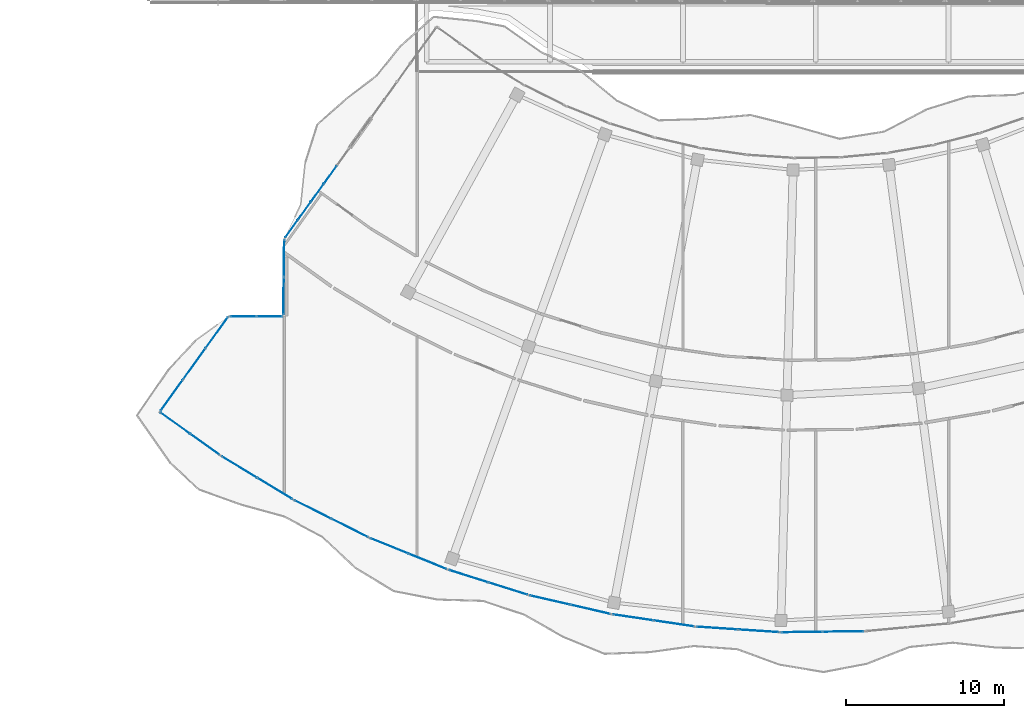
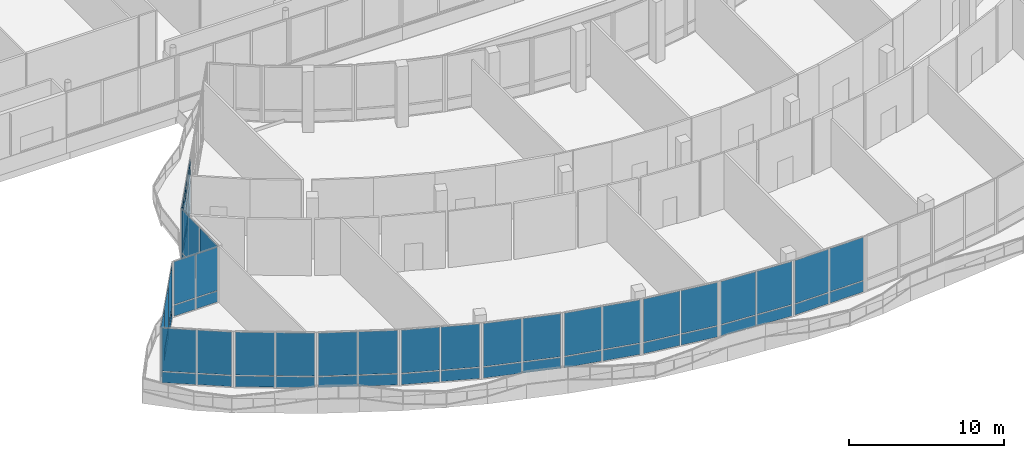
# One storey, part 123 of 168: 62 plates, 13 elements without a shape of their own.
"""IFC4 building model written with IfcOpenShell, lengths in metres."""

from ifc_helpers import new_model, si_unit, direction, frame, origin, origin_2d, place, context, subcontext, project, spatial, rectangle, extrude, material, layer, layer_set, type_object, element, aggregate, save


model = new_model("IFC4")

# Units and contexts
model_context = context("Model", 3, precision=1e-05, world=origin(), true_north=direction((0.0, 1.0)))
body_context = subcontext(model_context, "Body", "Model", "MODEL_VIEW")
ifc_project = project(units=[si_unit("LENGTHUNIT", "METRE"), si_unit("AREAUNIT", "SQUARE_METRE"), si_unit("VOLUMEUNIT", "CUBIC_METRE"), si_unit("PLANEANGLEUNIT", "RADIAN"), si_unit("MASSUNIT", "GRAM", prefix="KILO")], contexts=[model_context])

# Site, building, storey
site_placement = place(None, origin())
site = spatial("IfcSite", under=ifc_project, at=site_placement, CompositionType="ELEMENT")
building_placement = place(site_placement, origin())
building = spatial("IfcBuilding", under=site, at=building_placement, Name="Selatvlak General Hospital", CompositionType="ELEMENT")
storey_placement = place(building_placement, frame((0.0, 0.0, 5.39990234375)))
storey = spatial("IfcBuildingStorey", under=building, at=storey_placement, Name="L01", CompositionType="ELEMENT", Elevation=5.39990234375)

# Curtain wall, plates
ifc_material = material(Name="Solar-control Low-E double glazing", Category="glass")
curtain_wall_type_1 = type_object("IfcCurtainWallType", Name="CW-CW-01", PredefinedType="USERDEFINED", material=ifc_material)
curtain_wall_1_placement = place(storey_placement, origin())
curtain_wall_1 = element("IfcCurtainWall", 1, at=curtain_wall_1_placement, inside=storey, type_object=curtain_wall_type_1, Name="Glazed facade curtain wall CW-L01-0175", ObjectType="UNITISED CURTAIN WALL", PredefinedType="USERDEFINED")
ifc_layer = layer(ifc_material, 0.028076171875, Name="Solar-control Low-E double glazing", Category="glass")
ifc_layer_set = layer_set([ifc_layer], Name="Solar-control Low-E double glazing")
plate_type = type_object("IfcPlateType", Name="CWP-01", PredefinedType="CURTAIN_PANEL", material=ifc_layer_set)
plate_1_placement = place(storey_placement, frame((58.14111328125, 12.074951171875, 0.065185546875), z_axis=(0.0, 0.0, 1.0), x_axis=(-0.999919712362, -0.012671575694, 0.0)))
plate_1 = element("IfcPlate", 2, at=plate_1_placement, type_object=plate_type, Name="CW-01 panel 1.1", PredefinedType="CURTAIN_PANEL", context=body_context, shape_type="SweptSolid", body=[
    extrude(rectangle(XDim=2.546142578125, YDim=0.028076171875, at=origin_2d()), origin(), (0.0, 0.0, 1.0), 0.8525390625),
])
plate_2_placement = place(storey_placement, frame((58.14111328125, 12.074951171875, 0.982666015625), z_axis=(0.0, 0.0, 1.0), x_axis=(-0.999919712362, -0.012671575694, 0.0)))
plate_2 = element("IfcPlate", 3, at=plate_2_placement, type_object=plate_type, Name="CW-01 panel 1.2", PredefinedType="CURTAIN_PANEL", context=body_context, shape_type="SweptSolid", body=[
    extrude(rectangle(XDim=2.546142578125, YDim=0.028076171875, at=origin_2d()), origin(), (0.0, 0.0, 1.0), 3.3974609375),
])
plate_3_placement = place(storey_placement, frame((55.530029296875, 12.0419921875, 0.065185546875), z_axis=(0.0, 0.0, 1.0), x_axis=(-0.999919712362, -0.012671575694, 0.0)))
plate_3 = element("IfcPlate", 4, at=plate_3_placement, type_object=plate_type, Name="CW-01 panel 2.1", PredefinedType="CURTAIN_PANEL", context=body_context, shape_type="SweptSolid", body=[
    extrude(rectangle(XDim=2.546142578125, YDim=0.028076171875, at=origin_2d()), origin(), (0.0, 0.0, 1.0), 0.8525390625),
])
plate_4_placement = place(storey_placement, frame((55.530029296875, 12.0419921875, 0.982666015625), z_axis=(0.0, 0.0, 1.0), x_axis=(-0.999919712362, -0.012671575694, 0.0)))
plate_4 = element("IfcPlate", 5, at=plate_4_placement, type_object=plate_type, Name="CW-01 panel 2.2", PredefinedType="CURTAIN_PANEL", context=body_context, shape_type="SweptSolid", body=[
    extrude(rectangle(XDim=2.546142578125, YDim=0.028076171875, at=origin_2d()), origin(), (0.0, 0.0, 1.0), 3.3974609375),
])
aggregate(curtain_wall_1, [plate_1, plate_2, plate_3, plate_4])

curtain_wall_type_2 = type_object("IfcCurtainWallType", Name="CW-CW-02", PredefinedType="USERDEFINED", material=ifc_material)
curtain_wall_2_placement = place(storey_placement, origin())
curtain_wall_2 = element("IfcCurtainWall", 6, at=curtain_wall_2_placement, inside=storey, type_object=curtain_wall_type_2, Name="Glazed facade curtain wall CW-L01-0176", ObjectType="UNITISED CURTAIN WALL", PredefinedType="USERDEFINED")
plate_5_placement = place(storey_placement, frame((52.77734375, 12.118408203125, 0.065185546875), z_axis=(0.0, 0.0, 1.0), x_axis=(-0.997767543774, 0.066782696801, 0.0)))
plate_5 = element("IfcPlate", 7, at=plate_5_placement, type_object=plate_type, Name="CW-02 panel 1.1", PredefinedType="CURTAIN_PANEL", context=body_context, shape_type="SweptSolid", body=[
    extrude(rectangle(XDim=2.54541015625, YDim=0.028076171875, at=origin_2d()), origin(), (0.0, 0.0, 1.0), 0.8525390625),
])
plate_6_placement = place(storey_placement, frame((52.77734375, 12.118408203125, 0.982666015625), z_axis=(0.0, 0.0, 1.0), x_axis=(-0.997767543774, 0.066782696801, 0.0)))
plate_6 = element("IfcPlate", 8, at=plate_6_placement, type_object=plate_type, Name="CW-02 panel 1.2", PredefinedType="CURTAIN_PANEL", context=body_context, shape_type="SweptSolid", body=[
    extrude(rectangle(XDim=2.54541015625, YDim=0.028076171875, at=origin_2d()), origin(), (0.0, 0.0, 1.0), 3.3974609375),
])
plate_7_placement = place(storey_placement, frame((50.172607421875, 12.292724609375, 0.065185546875), z_axis=(0.0, 0.0, 1.0), x_axis=(-0.997767543774, 0.066782696801, 0.0)))
plate_7 = element("IfcPlate", 9, at=plate_7_placement, type_object=plate_type, Name="CW-02 panel 2.1", PredefinedType="CURTAIN_PANEL", context=body_context, shape_type="SweptSolid", body=[
    extrude(rectangle(XDim=2.54541015625, YDim=0.028076171875, at=origin_2d()), origin(), (0.0, 0.0, 1.0), 0.8525390625),
])
plate_8_placement = place(storey_placement, frame((50.172607421875, 12.292724609375, 0.982666015625), z_axis=(0.0, 0.0, 1.0), x_axis=(-0.997767543774, 0.066782696801, 0.0)))
plate_8 = element("IfcPlate", 10, at=plate_8_placement, type_object=plate_type, Name="CW-02 panel 2.2", PredefinedType="CURTAIN_PANEL", context=body_context, shape_type="SweptSolid", body=[
    extrude(rectangle(XDim=2.54541015625, YDim=0.028076171875, at=origin_2d()), origin(), (0.0, 0.0, 1.0), 3.3974609375),
])
aggregate(curtain_wall_2, [plate_5, plate_6, plate_7, plate_8])

curtain_wall_3_placement = place(storey_placement, origin())
curtain_wall_3 = element("IfcCurtainWall", 11, at=curtain_wall_3_placement, inside=storey, type_object=curtain_wall_type_1, Name="Glazed facade curtain wall CW-L01-0177", ObjectType="UNITISED CURTAIN WALL", PredefinedType="USERDEFINED")
plate_9_placement = place(storey_placement, frame((47.435302734375, 12.587158203125, 0.065185546875), z_axis=(0.0, 0.0, 1.0), x_axis=(-0.989307819732, 0.145842510319, 0.0)))
plate_9 = element("IfcPlate", 12, at=plate_9_placement, type_object=plate_type, Name="CW-01 panel 1.1", PredefinedType="CURTAIN_PANEL", context=body_context, shape_type="SweptSolid", body=[
    extrude(rectangle(XDim=2.545654296875, YDim=0.028076171875, at=origin_2d()), origin(), (0.0, 0.0, 1.0), 0.8525390625),
])
plate_10_placement = place(storey_placement, frame((47.435302734375, 12.587158203125, 0.982666015625), z_axis=(0.0, 0.0, 1.0), x_axis=(-0.989307819732, 0.145842510319, 0.0)))
plate_10 = element("IfcPlate", 13, at=plate_10_placement, type_object=plate_type, Name="CW-01 panel 1.2", PredefinedType="CURTAIN_PANEL", context=body_context, shape_type="SweptSolid", body=[
    extrude(rectangle(XDim=2.545654296875, YDim=0.028076171875, at=origin_2d()), origin(), (0.0, 0.0, 1.0), 3.3974609375),
])
plate_11_placement = place(storey_placement, frame((44.8525390625, 12.9677734375, 0.065185546875), z_axis=(0.0, 0.0, 1.0), x_axis=(-0.989307819732, 0.145842510319, 0.0)))
plate_11 = element("IfcPlate", 14, at=plate_11_placement, type_object=plate_type, Name="CW-01 panel 2.1", PredefinedType="CURTAIN_PANEL", context=body_context, shape_type="SweptSolid", body=[
    extrude(rectangle(XDim=2.545654296875, YDim=0.028076171875, at=origin_2d()), origin(), (0.0, 0.0, 1.0), 0.8525390625),
])
plate_12_placement = place(storey_placement, frame((44.8525390625, 12.9677734375, 0.982666015625), z_axis=(0.0, 0.0, 1.0), x_axis=(-0.989307819732, 0.145842510319, 0.0)))
plate_12 = element("IfcPlate", 15, at=plate_12_placement, type_object=plate_type, Name="CW-01 panel 2.2", PredefinedType="CURTAIN_PANEL", context=body_context, shape_type="SweptSolid", body=[
    extrude(rectangle(XDim=2.545654296875, YDim=0.028076171875, at=origin_2d()), origin(), (0.0, 0.0, 1.0), 3.3974609375),
])
aggregate(curtain_wall_3, [plate_9, plate_10, plate_11, plate_12])

curtain_wall_4_placement = place(storey_placement, origin())
curtain_wall_4 = element("IfcCurtainWall", 16, at=curtain_wall_4_placement, inside=storey, type_object=curtain_wall_type_2, Name="Glazed facade curtain wall CW-L01-0178", ObjectType="UNITISED CURTAIN WALL", PredefinedType="USERDEFINED")
plate_13_placement = place(storey_placement, frame((42.146240234375, 13.47900390625, 0.065185546875), z_axis=(0.0, 0.0, 1.0), x_axis=(-0.974553533749, 0.224154879176, 0.0)))
plate_13 = element("IfcPlate", 17, at=plate_13_placement, type_object=plate_type, Name="CW-02 panel 1.1", PredefinedType="CURTAIN_PANEL", context=body_context, shape_type="SweptSolid", body=[
    extrude(rectangle(XDim=2.545654296875, YDim=0.028076171875, at=origin_2d()), origin(), (0.0, 0.0, 1.0), 0.8525390625),
])
plate_14_placement = place(storey_placement, frame((42.146240234375, 13.47900390625, 0.982666015625), z_axis=(0.0, 0.0, 1.0), x_axis=(-0.974553533749, 0.224154879176, 0.0)))
plate_14 = element("IfcPlate", 18, at=plate_14_placement, type_object=plate_type, Name="CW-02 panel 1.2", PredefinedType="CURTAIN_PANEL", context=body_context, shape_type="SweptSolid", body=[
    extrude(rectangle(XDim=2.545654296875, YDim=0.028076171875, at=origin_2d()), origin(), (0.0, 0.0, 1.0), 3.3974609375),
])
plate_15_placement = place(storey_placement, frame((39.601806640625, 14.064208984375, 0.065185546875), z_axis=(0.0, 0.0, 1.0), x_axis=(-0.974553533749, 0.224154879176, 0.0)))
plate_15 = element("IfcPlate", 19, at=plate_15_placement, type_object=plate_type, Name="CW-02 panel 2.1", PredefinedType="CURTAIN_PANEL", context=body_context, shape_type="SweptSolid", body=[
    extrude(rectangle(XDim=2.545654296875, YDim=0.028076171875, at=origin_2d()), origin(), (0.0, 0.0, 1.0), 0.8525390625),
])
plate_16_placement = place(storey_placement, frame((39.601806640625, 14.064208984375, 0.982666015625), z_axis=(0.0, 0.0, 1.0), x_axis=(-0.974553533749, 0.224154879176, 0.0)))
plate_16 = element("IfcPlate", 20, at=plate_16_placement, type_object=plate_type, Name="CW-02 panel 2.2", PredefinedType="CURTAIN_PANEL", context=body_context, shape_type="SweptSolid", body=[
    extrude(rectangle(XDim=2.545654296875, YDim=0.028076171875, at=origin_2d()), origin(), (0.0, 0.0, 1.0), 3.3974609375),
])
aggregate(curtain_wall_4, [plate_13, plate_14, plate_15, plate_16])

curtain_wall_5_placement = place(storey_placement, origin())
curtain_wall_5 = element("IfcCurtainWall", 21, at=curtain_wall_5_placement, inside=storey, type_object=curtain_wall_type_1, Name="Glazed facade curtain wall CW-L01-0179", ObjectType="UNITISED CURTAIN WALL", PredefinedType="USERDEFINED")
plate_17_placement = place(storey_placement, frame((36.9453125, 14.788818359375, 0.065185546875), z_axis=(0.0, 0.0, 1.0), x_axis=(-0.953794036858, 0.30046120424, 0.0)))
plate_17 = element("IfcPlate", 22, at=plate_17_placement, type_object=plate_type, Name="CW-01 panel 1.1", PredefinedType="CURTAIN_PANEL", context=body_context, shape_type="SweptSolid", body=[
    extrude(rectangle(XDim=2.545166015625, YDim=0.028076171875, at=origin_2d()), origin(), (0.0, 0.0, 1.0), 0.8525390625),
])
plate_18_placement = place(storey_placement, frame((36.9453125, 14.788818359375, 0.982666015625), z_axis=(0.0, 0.0, 1.0), x_axis=(-0.953794036858, 0.30046120424, 0.0)))
plate_18 = element("IfcPlate", 23, at=plate_18_placement, type_object=plate_type, Name="CW-01 panel 1.2", PredefinedType="CURTAIN_PANEL", context=body_context, shape_type="SweptSolid", body=[
    extrude(rectangle(XDim=2.545166015625, YDim=0.028076171875, at=origin_2d()), origin(), (0.0, 0.0, 1.0), 3.3974609375),
])
plate_19_placement = place(storey_placement, frame((34.455810546875, 15.572998046875, 0.065185546875), z_axis=(0.0, 0.0, 1.0), x_axis=(-0.953794036858, 0.30046120424, 0.0)))
plate_19 = element("IfcPlate", 24, at=plate_19_placement, type_object=plate_type, Name="CW-01 panel 2.1", PredefinedType="CURTAIN_PANEL", context=body_context, shape_type="SweptSolid", body=[
    extrude(rectangle(XDim=2.545166015625, YDim=0.028076171875, at=origin_2d()), origin(), (0.0, 0.0, 1.0), 0.8525390625),
])
plate_20_placement = place(storey_placement, frame((34.455810546875, 15.572998046875, 0.982666015625), z_axis=(0.0, 0.0, 1.0), x_axis=(-0.953794036858, 0.30046120424, 0.0)))
plate_20 = element("IfcPlate", 25, at=plate_20_placement, type_object=plate_type, Name="CW-01 panel 2.2", PredefinedType="CURTAIN_PANEL", context=body_context, shape_type="SweptSolid", body=[
    extrude(rectangle(XDim=2.545166015625, YDim=0.028076171875, at=origin_2d()), origin(), (0.0, 0.0, 1.0), 3.3974609375),
])
aggregate(curtain_wall_5, [plate_17, plate_18, plate_19, plate_20])

curtain_wall_6_placement = place(storey_placement, origin())
curtain_wall_6 = element("IfcCurtainWall", 26, at=curtain_wall_6_placement, inside=storey, type_object=curtain_wall_type_2, Name="Glazed facade curtain wall CW-L01-0180", ObjectType="UNITISED CURTAIN WALL", PredefinedType="USERDEFINED")
plate_21_placement = place(storey_placement, frame((31.865966796875, 16.507080078125, 0.065185546875), z_axis=(0.0, 0.0, 1.0), x_axis=(-0.926902948145, 0.375301112069, 0.0)))
plate_21 = element("IfcPlate", 27, at=plate_21_placement, type_object=plate_type, Name="CW-02 panel 1.1", PredefinedType="CURTAIN_PANEL", context=body_context, shape_type="SweptSolid", body=[
    extrude(rectangle(XDim=2.545654296875, YDim=0.028076171875, at=origin_2d()), origin(), (0.0, 0.0, 1.0), 0.8525390625),
])
plate_22_placement = place(storey_placement, frame((31.865966796875, 16.507080078125, 0.982666015625), z_axis=(0.0, 0.0, 1.0), x_axis=(-0.926902948145, 0.375301112069, 0.0)))
plate_22 = element("IfcPlate", 28, at=plate_22_placement, type_object=plate_type, Name="CW-02 panel 1.2", PredefinedType="CURTAIN_PANEL", context=body_context, shape_type="SweptSolid", body=[
    extrude(rectangle(XDim=2.545654296875, YDim=0.028076171875, at=origin_2d()), origin(), (0.0, 0.0, 1.0), 3.3974609375),
])
plate_23_placement = place(storey_placement, frame((29.446044921875, 17.48681640625, 0.065185546875), z_axis=(0.0, 0.0, 1.0), x_axis=(-0.926902948145, 0.375301112069, 0.0)))
plate_23 = element("IfcPlate", 29, at=plate_23_placement, type_object=plate_type, Name="CW-02 panel 2.1", PredefinedType="CURTAIN_PANEL", context=body_context, shape_type="SweptSolid", body=[
    extrude(rectangle(XDim=2.545654296875, YDim=0.028076171875, at=origin_2d()), origin(), (0.0, 0.0, 1.0), 0.8525390625),
])
plate_24_placement = place(storey_placement, frame((29.446044921875, 17.48681640625, 0.982666015625), z_axis=(0.0, 0.0, 1.0), x_axis=(-0.926902948145, 0.375301112069, 0.0)))
plate_24 = element("IfcPlate", 30, at=plate_24_placement, type_object=plate_type, Name="CW-02 panel 2.2", PredefinedType="CURTAIN_PANEL", context=body_context, shape_type="SweptSolid", body=[
    extrude(rectangle(XDim=2.545654296875, YDim=0.028076171875, at=origin_2d()), origin(), (0.0, 0.0, 1.0), 3.3974609375),
])
aggregate(curtain_wall_6, [plate_21, plate_22, plate_23, plate_24])

curtain_wall_7_placement = place(storey_placement, origin())
curtain_wall_7 = element("IfcCurtainWall", 31, at=curtain_wall_7_placement, inside=storey, type_object=curtain_wall_type_1, Name="Glazed facade curtain wall CW-L01-0181", ObjectType="UNITISED CURTAIN WALL", PredefinedType="USERDEFINED")
plate_25_placement = place(storey_placement, frame((26.937744140625, 18.622802734375, 0.065185546875), z_axis=(0.0, 0.0, 1.0), x_axis=(-0.894237934345, 0.44759190875, 0.0)))
plate_25 = element("IfcPlate", 32, at=plate_25_placement, type_object=plate_type, Name="CW-01 panel 1.1", PredefinedType="CURTAIN_PANEL", context=body_context, shape_type="SweptSolid", body=[
    extrude(rectangle(XDim=2.545654296875, YDim=0.028076171875, at=origin_2d()), origin(), (0.0, 0.0, 1.0), 0.8525390625),
])
plate_26_placement = place(storey_placement, frame((26.937744140625, 18.622802734375, 0.982666015625), z_axis=(0.0, 0.0, 1.0), x_axis=(-0.894237934345, 0.44759190875, 0.0)))
plate_26 = element("IfcPlate", 33, at=plate_26_placement, type_object=plate_type, Name="CW-01 panel 1.2", PredefinedType="CURTAIN_PANEL", context=body_context, shape_type="SweptSolid", body=[
    extrude(rectangle(XDim=2.545654296875, YDim=0.028076171875, at=origin_2d()), origin(), (0.0, 0.0, 1.0), 3.3974609375),
])
plate_27_placement = place(storey_placement, frame((24.603271484375, 19.791259765625, 0.065185546875), z_axis=(0.0, 0.0, 1.0), x_axis=(-0.894237934345, 0.44759190875, 0.0)))
plate_27 = element("IfcPlate", 34, at=plate_27_placement, type_object=plate_type, Name="CW-01 panel 2.1", PredefinedType="CURTAIN_PANEL", context=body_context, shape_type="SweptSolid", body=[
    extrude(rectangle(XDim=2.545654296875, YDim=0.028076171875, at=origin_2d()), origin(), (0.0, 0.0, 1.0), 0.8525390625),
])
plate_28_placement = place(storey_placement, frame((24.603271484375, 19.791259765625, 0.982666015625), z_axis=(0.0, 0.0, 1.0), x_axis=(-0.894237934345, 0.44759190875, 0.0)))
plate_28 = element("IfcPlate", 35, at=plate_28_placement, type_object=plate_type, Name="CW-01 panel 2.2", PredefinedType="CURTAIN_PANEL", context=body_context, shape_type="SweptSolid", body=[
    extrude(rectangle(XDim=2.545654296875, YDim=0.028076171875, at=origin_2d()), origin(), (0.0, 0.0, 1.0), 3.3974609375),
])
aggregate(curtain_wall_7, [plate_25, plate_26, plate_27, plate_28])

curtain_wall_8_placement = place(storey_placement, origin())
curtain_wall_8 = element("IfcCurtainWall", 36, at=curtain_wall_8_placement, inside=storey, type_object=curtain_wall_type_2, Name="Glazed facade curtain wall CW-L01-0182", ObjectType="UNITISED CURTAIN WALL", PredefinedType="USERDEFINED")
plate_29_placement = place(storey_placement, frame((22.19287109375, 21.123291015625, 0.065185546875), z_axis=(0.0, 0.0, 1.0), x_axis=(-0.855735878163, 0.517412897815, 0.0)))
plate_29 = element("IfcPlate", 37, at=plate_29_placement, type_object=plate_type, Name="CW-02 panel 1.1", PredefinedType="CURTAIN_PANEL", context=body_context, shape_type="SweptSolid", body=[
    extrude(rectangle(XDim=2.54638671875, YDim=0.028076171875, at=origin_2d()), origin(), (0.0, 0.0, 1.0), 0.8525390625),
])
plate_30_placement = place(storey_placement, frame((22.19287109375, 21.123291015625, 0.982666015625), z_axis=(0.0, 0.0, 1.0), x_axis=(-0.855735878163, 0.517412897815, 0.0)))
plate_30 = element("IfcPlate", 38, at=plate_30_placement, type_object=plate_type, Name="CW-02 panel 1.2", PredefinedType="CURTAIN_PANEL", context=body_context, shape_type="SweptSolid", body=[
    extrude(rectangle(XDim=2.54638671875, YDim=0.028076171875, at=origin_2d()), origin(), (0.0, 0.0, 1.0), 3.3974609375),
])
plate_31_placement = place(storey_placement, frame((19.958251953125, 22.474609375, 0.065185546875), z_axis=(0.0, 0.0, 1.0), x_axis=(-0.855735878163, 0.517412897815, 0.0)))
plate_31 = element("IfcPlate", 39, at=plate_31_placement, type_object=plate_type, Name="CW-02 panel 2.1", PredefinedType="CURTAIN_PANEL", context=body_context, shape_type="SweptSolid", body=[
    extrude(rectangle(XDim=2.54638671875, YDim=0.028076171875, at=origin_2d()), origin(), (0.0, 0.0, 1.0), 0.8525390625),
])
plate_32_placement = place(storey_placement, frame((19.958251953125, 22.474609375, 0.982666015625), z_axis=(0.0, 0.0, 1.0), x_axis=(-0.855735878163, 0.517412897815, 0.0)))
plate_32 = element("IfcPlate", 40, at=plate_32_placement, type_object=plate_type, Name="CW-02 panel 2.2", PredefinedType="CURTAIN_PANEL", context=body_context, shape_type="SweptSolid", body=[
    extrude(rectangle(XDim=2.54638671875, YDim=0.028076171875, at=origin_2d()), origin(), (0.0, 0.0, 1.0), 3.3974609375),
])
aggregate(curtain_wall_8, [plate_29, plate_30, plate_31, plate_32])

curtain_wall_9_placement = place(storey_placement, origin())
curtain_wall_9 = element("IfcCurtainWall", 41, at=curtain_wall_9_placement, inside=storey, type_object=curtain_wall_type_1, Name="Glazed facade curtain wall CW-L01-0183", ObjectType="UNITISED CURTAIN WALL", PredefinedType="USERDEFINED")
plate_33_placement = place(storey_placement, frame((17.780029296875, 23.90478515625, 0.065185546875), z_axis=(0.0, 0.0, 1.0), x_axis=(-0.813329937847, 0.581802726189, 0.0)))
plate_33 = element("IfcPlate", 42, at=plate_33_placement, type_object=plate_type, Name="CW-01 panel 1.1", PredefinedType="CURTAIN_PANEL", context=body_context, shape_type="SweptSolid", body=[
    extrude(rectangle(XDim=2.247802734375, YDim=0.028076171875, at=origin_2d()), origin(), (0.0, 0.0, 1.0), 0.8525390625),
])
plate_34_placement = place(storey_placement, frame((17.780029296875, 23.90478515625, 0.982666015625), z_axis=(0.0, 0.0, 1.0), x_axis=(-0.813329937847, 0.581802726189, 0.0)))
plate_34 = element("IfcPlate", 43, at=plate_34_placement, type_object=plate_type, Name="CW-01 panel 1.2", PredefinedType="CURTAIN_PANEL", context=body_context, shape_type="SweptSolid", body=[
    extrude(rectangle(XDim=2.247802734375, YDim=0.028076171875, at=origin_2d()), origin(), (0.0, 0.0, 1.0), 3.3974609375),
])
plate_35_placement = place(storey_placement, frame((15.89892578125, 25.250244140625, 0.065185546875), z_axis=(0.0, 0.0, 1.0), x_axis=(-0.813329937847, 0.581802726189, 0.0)))
plate_35 = element("IfcPlate", 44, at=plate_35_placement, type_object=plate_type, Name="CW-01 panel 2.1", PredefinedType="CURTAIN_PANEL", context=body_context, shape_type="SweptSolid", body=[
    extrude(rectangle(XDim=2.247802734375, YDim=0.028076171875, at=origin_2d()), origin(), (0.0, 0.0, 1.0), 0.8525390625),
])
plate_36_placement = place(storey_placement, frame((15.89892578125, 25.250244140625, 0.982666015625), z_axis=(0.0, 0.0, 1.0), x_axis=(-0.813329937847, 0.581802726189, 0.0)))
plate_36 = element("IfcPlate", 45, at=plate_36_placement, type_object=plate_type, Name="CW-01 panel 2.2", PredefinedType="CURTAIN_PANEL", context=body_context, shape_type="SweptSolid", body=[
    extrude(rectangle(XDim=2.247802734375, YDim=0.028076171875, at=origin_2d()), origin(), (0.0, 0.0, 1.0), 3.3974609375),
])
aggregate(curtain_wall_9, [plate_33, plate_34, plate_35, plate_36])

curtain_wall_10_placement = place(storey_placement, origin())
curtain_wall_10 = element("IfcCurtainWall", 46, at=curtain_wall_10_placement, inside=storey, type_object=curtain_wall_type_2, Name="Glazed facade curtain wall CW-L01-0184", ObjectType="UNITISED CURTAIN WALL", PredefinedType="USERDEFINED")
plate_37_placement = place(storey_placement, frame((15.6845703125, 27.014404296875, 0.065185546875), z_axis=(0.0, 0.0, 1.0), x_axis=(0.583789827411, 0.811904820414, 0.0)))
plate_37 = element("IfcPlate", 47, at=plate_37_placement, type_object=plate_type, Name="CW-02 panel 1.1", PredefinedType="CURTAIN_PANEL", context=body_context, shape_type="SweptSolid", body=[
    extrude(rectangle(XDim=2.35888671875, YDim=0.028076171875, at=origin_2d()), origin(), (0.0, 0.0, 1.0), 0.8525390625),
])
plate_38_placement = place(storey_placement, frame((15.6845703125, 27.014404296875, 0.982666015625), z_axis=(0.0, 0.0, 1.0), x_axis=(0.583789827411, 0.811904820414, 0.0)))
plate_38 = element("IfcPlate", 48, at=plate_38_placement, type_object=plate_type, Name="CW-02 panel 1.2", PredefinedType="CURTAIN_PANEL", context=body_context, shape_type="SweptSolid", body=[
    extrude(rectangle(XDim=2.35888671875, YDim=0.028076171875, at=origin_2d()), origin(), (0.0, 0.0, 1.0), 3.3974609375),
])
plate_39_placement = place(storey_placement, frame((17.10888671875, 28.99560546875, 0.065185546875), z_axis=(0.0, 0.0, 1.0), x_axis=(0.583789827411, 0.811904820414, 0.0)))
plate_39 = element("IfcPlate", 49, at=plate_39_placement, type_object=plate_type, Name="CW-02 panel 2.1", PredefinedType="CURTAIN_PANEL", context=body_context, shape_type="SweptSolid", body=[
    extrude(rectangle(XDim=2.391357421875, YDim=0.028076171875, at=origin_2d()), origin(), (0.0, 0.0, 1.0), 0.8525390625),
])
plate_40_placement = place(storey_placement, frame((17.10888671875, 28.99560546875, 0.982666015625), z_axis=(0.0, 0.0, 1.0), x_axis=(0.583789827411, 0.811904820414, 0.0)))
plate_40 = element("IfcPlate", 50, at=plate_40_placement, type_object=plate_type, Name="CW-02 panel 2.2", PredefinedType="CURTAIN_PANEL", context=body_context, shape_type="SweptSolid", body=[
    extrude(rectangle(XDim=2.391357421875, YDim=0.028076171875, at=origin_2d()), origin(), (0.0, 0.0, 1.0), 3.3974609375),
])
plate_41_placement = place(storey_placement, frame((18.533447265625, 30.9765625, 0.065185546875), z_axis=(0.0, 0.0, 1.0), x_axis=(0.583789827411, 0.811904820414, 0.0)))
plate_41 = element("IfcPlate", 51, at=plate_41_placement, type_object=plate_type, Name="CW-02 panel 3.1", PredefinedType="CURTAIN_PANEL", context=body_context, shape_type="SweptSolid", body=[
    extrude(rectangle(XDim=2.35888671875, YDim=0.028076171875, at=origin_2d()), origin(), (0.0, 0.0, 1.0), 0.8525390625),
])
plate_42_placement = place(storey_placement, frame((18.533447265625, 30.9765625, 0.982666015625), z_axis=(0.0, 0.0, 1.0), x_axis=(0.583789827411, 0.811904820414, 0.0)))
plate_42 = element("IfcPlate", 52, at=plate_42_placement, type_object=plate_type, Name="CW-02 panel 3.2", PredefinedType="CURTAIN_PANEL", context=body_context, shape_type="SweptSolid", body=[
    extrude(rectangle(XDim=2.35888671875, YDim=0.028076171875, at=origin_2d()), origin(), (0.0, 0.0, 1.0), 3.3974609375),
])
aggregate(curtain_wall_10, [plate_37, plate_38, plate_39, plate_40, plate_41, plate_42])

curtain_wall_11_placement = place(storey_placement, origin())
curtain_wall_11 = element("IfcCurtainWall", 53, at=curtain_wall_11_placement, inside=storey, type_object=curtain_wall_type_1, Name="Glazed facade curtain wall CW-L01-0185", ObjectType="UNITISED CURTAIN WALL", PredefinedType="USERDEFINED")
plate_43_placement = place(storey_placement, frame((20.197998046875, 31.999267578125, 0.065185546875), z_axis=(0.0, 0.0, 1.0), x_axis=(0.999999956518, 0.000294898244, 0.0)))
plate_43 = element("IfcPlate", 54, at=plate_43_placement, type_object=plate_type, Name="CW-01 panel 1.1", PredefinedType="CURTAIN_PANEL", context=body_context, shape_type="SweptSolid", body=[
    extrude(rectangle(XDim=1.597900390625, YDim=0.028076171875, at=origin_2d()), origin(), (0.0, 0.0, 1.0), 0.8525390625),
])
plate_44_placement = place(storey_placement, frame((20.197998046875, 31.999267578125, 0.982666015625), z_axis=(0.0, 0.0, 1.0), x_axis=(0.999999956518, 0.000294898244, 0.0)))
plate_44 = element("IfcPlate", 55, at=plate_44_placement, type_object=plate_type, Name="CW-01 panel 1.2", PredefinedType="CURTAIN_PANEL", context=body_context, shape_type="SweptSolid", body=[
    extrude(rectangle(XDim=1.597900390625, YDim=0.028076171875, at=origin_2d()), origin(), (0.0, 0.0, 1.0), 3.3974609375),
])
plate_45_placement = place(storey_placement, frame((21.861083984375, 31.999755859375, 0.065185546875), z_axis=(0.0, 0.0, 1.0), x_axis=(0.999999956518, 0.000294898244, 0.0)))
plate_45 = element("IfcPlate", 56, at=plate_45_placement, type_object=plate_type, Name="CW-01 panel 2.1", PredefinedType="CURTAIN_PANEL", context=body_context, shape_type="SweptSolid", body=[
    extrude(rectangle(XDim=1.597900390625, YDim=0.028076171875, at=origin_2d()), origin(), (0.0, 0.0, 1.0), 0.8525390625),
])
plate_46_placement = place(storey_placement, frame((21.861083984375, 31.999755859375, 0.982666015625), z_axis=(0.0, 0.0, 1.0), x_axis=(0.999999956518, 0.000294898244, 0.0)))
plate_46 = element("IfcPlate", 57, at=plate_46_placement, type_object=plate_type, Name="CW-01 panel 2.2", PredefinedType="CURTAIN_PANEL", context=body_context, shape_type="SweptSolid", body=[
    extrude(rectangle(XDim=1.597900390625, YDim=0.028076171875, at=origin_2d()), origin(), (0.0, 0.0, 1.0), 3.3974609375),
])
aggregate(curtain_wall_11, [plate_43, plate_44, plate_45, plate_46])

curtain_wall_12_placement = place(storey_placement, origin())
curtain_wall_12 = element("IfcCurtainWall", 58, at=curtain_wall_12_placement, inside=storey, type_object=curtain_wall_type_2, Name="Glazed facade curtain wall CW-L01-0186", ObjectType="UNITISED CURTAIN WALL", PredefinedType="USERDEFINED")
plate_47_placement = place(storey_placement, frame((22.755859375, 33.2880859375, 0.065185546875), z_axis=(0.0, 0.0, 1.0), x_axis=(0.012221999835, 0.999925308571, 0.0)))
plate_47 = element("IfcPlate", 59, at=plate_47_placement, type_object=plate_type, Name="CW-02 panel 1.1", PredefinedType="CURTAIN_PANEL", context=body_context, shape_type="SweptSolid", body=[
    extrude(rectangle(XDim=2.316162109375, YDim=0.028076171875, at=origin_2d()), origin(), (0.0, 0.0, 1.0), 0.8525390625),
])
plate_48_placement = place(storey_placement, frame((22.755859375, 33.2880859375, 0.982666015625), z_axis=(0.0, 0.0, 1.0), x_axis=(0.012221999835, 0.999925308571, 0.0)))
plate_48 = element("IfcPlate", 60, at=plate_48_placement, type_object=plate_type, Name="CW-02 panel 1.2", PredefinedType="CURTAIN_PANEL", context=body_context, shape_type="SweptSolid", body=[
    extrude(rectangle(XDim=2.316162109375, YDim=0.028076171875, at=origin_2d()), origin(), (0.0, 0.0, 1.0), 3.3974609375),
])
plate_49_placement = place(storey_placement, frame((22.78515625, 35.6689453125, 0.065185546875), z_axis=(0.0, 0.0, 1.0), x_axis=(0.012221999835, 0.999925308571, 0.0)))
plate_49 = element("IfcPlate", 61, at=plate_49_placement, type_object=plate_type, Name="CW-02 panel 2.1", PredefinedType="CURTAIN_PANEL", context=body_context, shape_type="SweptSolid", body=[
    extrude(rectangle(XDim=2.316162109375, YDim=0.028076171875, at=origin_2d()), origin(), (0.0, 0.0, 1.0), 0.8525390625),
])
plate_50_placement = place(storey_placement, frame((22.78515625, 35.6689453125, 0.982666015625), z_axis=(0.0, 0.0, 1.0), x_axis=(0.012221999835, 0.999925308571, 0.0)))
plate_50 = element("IfcPlate", 62, at=plate_50_placement, type_object=plate_type, Name="CW-02 panel 2.2", PredefinedType="CURTAIN_PANEL", context=body_context, shape_type="SweptSolid", body=[
    extrude(rectangle(XDim=2.316162109375, YDim=0.028076171875, at=origin_2d()), origin(), (0.0, 0.0, 1.0), 3.3974609375),
])
aggregate(curtain_wall_12, [plate_47, plate_48, plate_49, plate_50])

curtain_wall_13_placement = place(storey_placement, origin())
curtain_wall_13 = element("IfcCurtainWall", 63, at=curtain_wall_13_placement, inside=storey, type_object=curtain_wall_type_1, Name="Glazed facade curtain wall CW-L01-0188", ObjectType="UNITISED CURTAIN WALL", PredefinedType="USERDEFINED")
plate_51_placement = place(storey_placement, frame((23.257568359375, 37.543212890625, 0.06494140625), z_axis=(0.0, 0.0, 1.0), x_axis=(0.583929474196, 0.81180439095, 0.0)))
plate_51 = element("IfcPlate", 64, at=plate_51_placement, type_object=plate_type, Name="CW-01 panel 1.1", PredefinedType="CURTAIN_PANEL", context=body_context, shape_type="SweptSolid", body=[
    extrude(rectangle(XDim=1.306884765625, YDim=0.028076171875, at=origin_2d()), origin(), (0.0, 0.0, 1.0), 0.802490234375),
])
plate_52_placement = place(storey_placement, frame((23.257568359375, 37.543212890625, 0.9326171875), z_axis=(0.0, 0.0, 1.0), x_axis=(0.583929474196, 0.81180439095, 0.0)))
plate_52 = element("IfcPlate", 65, at=plate_52_placement, type_object=plate_type, Name="CW-01 panel 1.2", PredefinedType="CURTAIN_PANEL", context=body_context, shape_type="SweptSolid", body=[
    extrude(rectangle(XDim=1.306884765625, YDim=0.028076171875, at=origin_2d()), origin(), (0.0, 0.0, 1.0), 2.830078125),
])
plate_53_placement = place(storey_placement, frame((23.257568359375, 37.543212890625, 3.82763671875), z_axis=(0.0, 0.0, 1.0), x_axis=(0.583929474196, 0.81180439095, 0.0)))
plate_53 = element("IfcPlate", 66, at=plate_53_placement, type_object=plate_type, Name="CW-01 panel 1.3", PredefinedType="CURTAIN_PANEL", context=body_context, shape_type="SweptSolid", body=[
    extrude(rectangle(XDim=1.306884765625, YDim=0.028076171875, at=origin_2d()), origin(), (0.0, 0.0, 1.0), 0.552490234375),
])
plate_54_placement = place(storey_placement, frame((24.068115234375, 38.669921875, 0.06494140625), z_axis=(0.0, 0.0, 1.0), x_axis=(0.583929474196, 0.81180439095, 0.0)))
plate_54 = element("IfcPlate", 67, at=plate_54_placement, type_object=plate_type, Name="CW-01 panel 2.1", PredefinedType="CURTAIN_PANEL", context=body_context, shape_type="SweptSolid", body=[
    extrude(rectangle(XDim=1.33935546875, YDim=0.028076171875, at=origin_2d()), origin(), (0.0, 0.0, 1.0), 0.802490234375),
])
plate_55_placement = place(storey_placement, frame((24.068115234375, 38.669921875, 0.9326171875), z_axis=(0.0, 0.0, 1.0), x_axis=(0.583929474196, 0.81180439095, 0.0)))
plate_55 = element("IfcPlate", 68, at=plate_55_placement, type_object=plate_type, Name="CW-01 panel 2.2", PredefinedType="CURTAIN_PANEL", context=body_context, shape_type="SweptSolid", body=[
    extrude(rectangle(XDim=1.33935546875, YDim=0.028076171875, at=origin_2d()), origin(), (0.0, 0.0, 1.0), 2.830078125),
])
plate_56_placement = place(storey_placement, frame((24.068115234375, 38.669921875, 3.82763671875), z_axis=(0.0, 0.0, 1.0), x_axis=(0.583929474196, 0.81180439095, 0.0)))
plate_56 = element("IfcPlate", 69, at=plate_56_placement, type_object=plate_type, Name="CW-01 panel 2.3", PredefinedType="CURTAIN_PANEL", context=body_context, shape_type="SweptSolid", body=[
    extrude(rectangle(XDim=1.33935546875, YDim=0.028076171875, at=origin_2d()), origin(), (0.0, 0.0, 1.0), 0.552490234375),
])
plate_57_placement = place(storey_placement, frame((24.887939453125, 39.81005859375, 0.06494140625), z_axis=(0.0, 0.0, 1.0), x_axis=(0.583929474196, 0.81180439095, 0.0)))
plate_57 = element("IfcPlate", 70, at=plate_57_placement, type_object=plate_type, Name="CW-01 panel 3.1", PredefinedType="CURTAIN_PANEL", context=body_context, shape_type="SweptSolid", body=[
    extrude(rectangle(XDim=1.33935546875, YDim=0.028076171875, at=origin_2d()), origin(), (0.0, 0.0, 1.0), 0.802490234375),
])
plate_58_placement = place(storey_placement, frame((24.887939453125, 39.81005859375, 0.9326171875), z_axis=(0.0, 0.0, 1.0), x_axis=(0.583929474196, 0.81180439095, 0.0)))
plate_58 = element("IfcPlate", 71, at=plate_58_placement, type_object=plate_type, Name="CW-01 panel 3.2", PredefinedType="CURTAIN_PANEL", context=body_context, shape_type="SweptSolid", body=[
    extrude(rectangle(XDim=1.33935546875, YDim=0.028076171875, at=origin_2d()), origin(), (0.0, 0.0, 1.0), 2.830078125),
])
plate_59_placement = place(storey_placement, frame((24.887939453125, 39.81005859375, 3.82763671875), z_axis=(0.0, 0.0, 1.0), x_axis=(0.583929474196, 0.81180439095, 0.0)))
plate_59 = element("IfcPlate", 72, at=plate_59_placement, type_object=plate_type, Name="CW-01 panel 3.3", PredefinedType="CURTAIN_PANEL", context=body_context, shape_type="SweptSolid", body=[
    extrude(rectangle(XDim=1.33935546875, YDim=0.028076171875, at=origin_2d()), origin(), (0.0, 0.0, 1.0), 0.552490234375),
])
plate_60_placement = place(storey_placement, frame((25.7080078125, 40.949951171875, 0.06494140625), z_axis=(0.0, 0.0, 1.0), x_axis=(0.583929474196, 0.81180439095, 0.0)))
plate_60 = element("IfcPlate", 73, at=plate_60_placement, type_object=plate_type, Name="CW-01 panel 4.1", PredefinedType="CURTAIN_PANEL", context=body_context, shape_type="SweptSolid", body=[
    extrude(rectangle(XDim=1.33935546875, YDim=0.028076171875, at=origin_2d()), origin(), (0.0, 0.0, 1.0), 0.802490234375),
])
plate_61_placement = place(storey_placement, frame((25.7080078125, 40.949951171875, 0.9326171875), z_axis=(0.0, 0.0, 1.0), x_axis=(0.583929474196, 0.81180439095, 0.0)))
plate_61 = element("IfcPlate", 74, at=plate_61_placement, type_object=plate_type, Name="CW-01 panel 4.2", PredefinedType="CURTAIN_PANEL", context=body_context, shape_type="SweptSolid", body=[
    extrude(rectangle(XDim=1.33935546875, YDim=0.028076171875, at=origin_2d()), origin(), (0.0, 0.0, 1.0), 2.830078125),
])
plate_62_placement = place(storey_placement, frame((25.7080078125, 40.949951171875, 3.82763671875), z_axis=(0.0, 0.0, 1.0), x_axis=(0.583929474196, 0.81180439095, 0.0)))
plate_62 = element("IfcPlate", 75, at=plate_62_placement, type_object=plate_type, Name="CW-01 panel 4.3", PredefinedType="CURTAIN_PANEL", context=body_context, shape_type="SweptSolid", body=[
    extrude(rectangle(XDim=1.33935546875, YDim=0.028076171875, at=origin_2d()), origin(), (0.0, 0.0, 1.0), 0.552490234375),
])
aggregate(curtain_wall_13, [plate_51, plate_52, plate_53, plate_54, plate_55, plate_56, plate_57, plate_58, plate_59, plate_60, plate_61, plate_62])

save(model, "model.ifc")
